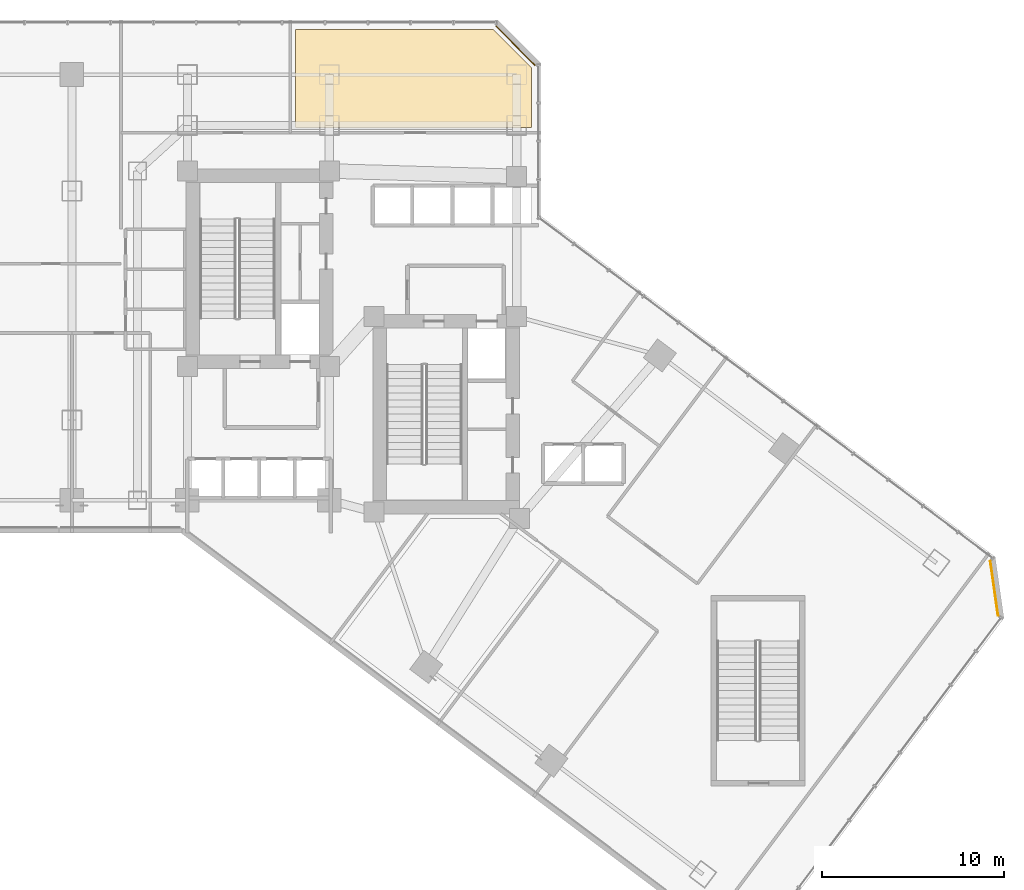
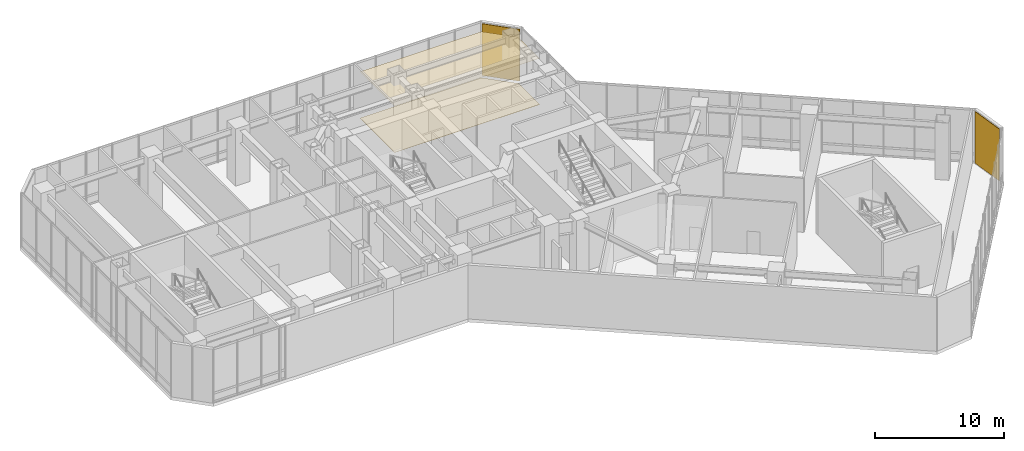
# One storey, part 35 of 35: 4 coverings.
"""IFC4 building model written with IfcOpenShell, lengths in metres."""

from ifc_helpers import new_model, si_unit, direction, frame, origin, origin_2d, place, context, subcontext, project, spatial, polyline, rectangle, outline, extrude, material, layer, layer_set, type_object, element, save


model = new_model("IFC4")

# Units and contexts
model_context = context("Model", 3, precision=1e-05, world=origin(), true_north=direction((0.0, 1.0)))
body_context = subcontext(model_context, "Body", "Model", "MODEL_VIEW")
ifc_project = project(units=[si_unit("LENGTHUNIT", "METRE"), si_unit("AREAUNIT", "SQUARE_METRE"), si_unit("VOLUMEUNIT", "CUBIC_METRE"), si_unit("PLANEANGLEUNIT", "RADIAN"), si_unit("MASSUNIT", "GRAM", prefix="KILO")], contexts=[model_context])

# Site, building, storey
site_placement = place(None, origin())
site = spatial("IfcSite", under=ifc_project, at=site_placement, CompositionType="ELEMENT")
building_placement = place(site_placement, origin())
building = spatial("IfcBuilding", under=site, at=building_placement, Name="Hatsunagi Terrace Concourse", CompositionType="ELEMENT")
storey_placement = place(building_placement, frame((0.0, 0.0, 16.199951171875)))
storey = spatial("IfcBuildingStorey", under=building, at=storey_placement, Name="L04", CompositionType="ELEMENT", Elevation=16.199951171875)

# Coverings
ifc_material_1 = material(Name="Acoustic mineral board", Category="gypsum")
ifc_layer_1 = layer(ifc_material_1, 0.02001953125)
ifc_layer_set_1 = layer_set([ifc_layer_1], Name="AcousticMineralCeiling_20")
covering_type_1 = type_object("IfcCoveringType", Name="AcousticMineralCeiling_20", PredefinedType="CEILING", material=ifc_layer_set_1)
covering_1_placement = place(storey_placement, frame((0.0, 0.0, 4.380126953125)))
element("IfcCovering", 1, at=covering_1_placement, inside=storey, type_object=covering_type_1, Name="Suspended Ceiling L04-2", PredefinedType="CEILING", context=body_context, shape_type="SweptSolid", body=[
    extrude(outline(polyline([(44.469970703125, 48.97998046875), (42.3798828125, 51.070068359375), (31.5, 51.070068359375), (31.5, 45.699951171875), (44.469970703125, 45.699951171875), (44.469970703125, 48.97998046875)])), origin(), (0.0, 0.0, 1.0), 0.02001953125),
])
ifc_material_2 = material(Name="Granite stone paving", Category="masonry")
ifc_layer_2 = layer(ifc_material_2, 0.02490234375)
ifc_layer_set_2 = layer_set([ifc_layer_2], Name="GraniteStoneFlooring_25")
covering_type_2 = type_object("IfcCoveringType", Name="GraniteStoneFlooring_25", PredefinedType="FLOORING", material=ifc_layer_set_2)
covering_2_placement = place(storey_placement, origin())
element("IfcCovering", 2, at=covering_2_placement, inside=storey, type_object=covering_type_2, Name="Finished Flooring L04-2", PredefinedType="FLOORING", context=body_context, shape_type="SweptSolid", body=[
    extrude(outline(polyline([(44.469970703125, 48.97998046875), (42.3798828125, 51.070068359375), (31.5, 51.070068359375), (31.5, 45.699951171875), (44.469970703125, 45.699951171875), (44.469970703125, 48.97998046875)])), origin(), (0.0, 0.0, 1.0), 0.025146484375),
])
ifc_material_3 = material(Name="Unglazed Warm Terracotta Rainscreen Tile", Category="masonry")
ifc_layer_3 = layer(ifc_material_3, 0.044921875)
ifc_layer_set_3 = layer_set([ifc_layer_3], Name="TerracottaRainscreenCladding_45")
covering_type_3 = type_object("IfcCoveringType", Name="TerracottaRainscreenCladding_45", PredefinedType="CLADDING", material=ifc_layer_set_3)
for number, where, z_axis, x_axis, name in (
    (3, (69.90087890625, 20.35791015625, 0.10009765625), (0.0, 0.0, 1.0), (0.141250262458, -0.989973920543, 0.0), "Terracotta Rainscreen Cladding L04-02"),
    (4, (43.5859375, 50.18603515625, 0.10009765625), (0.0, 0.0, 1.0), (0.707106781187, -0.707106781187, 0.0), "Terracotta Rainscreen Cladding L04-13"),
):
    element("IfcCovering", number, at=place(storey_placement, frame(where, z_axis=z_axis, x_axis=x_axis)), inside=storey, type_object=covering_type_3, Name=name, PredefinedType="CLADDING", context=body_context, shape_type="SweptSolid", body=[
        extrude(rectangle(XDim=3.0380859375, YDim=0.044921875, at=origin_2d()), origin(), (0.0, 0.0, 1.0), 4.89990234375),
    ])

save(model, "model.ifc")
